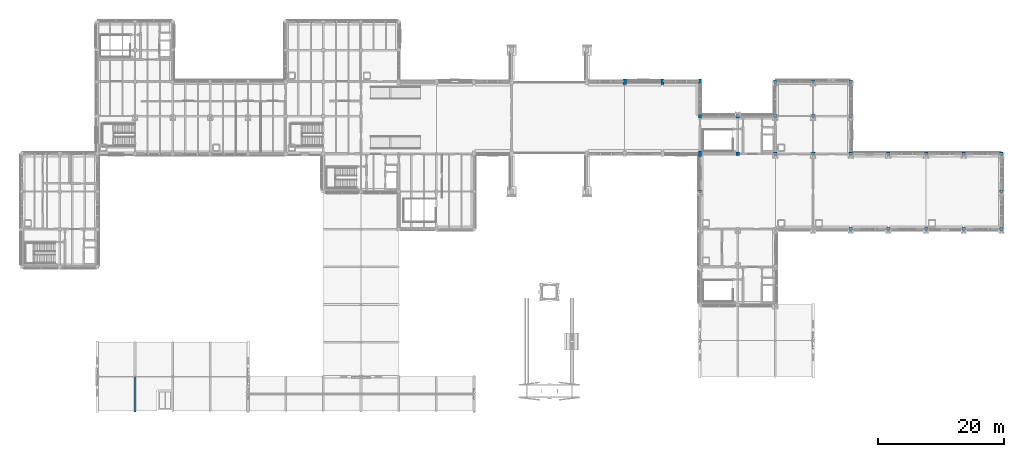
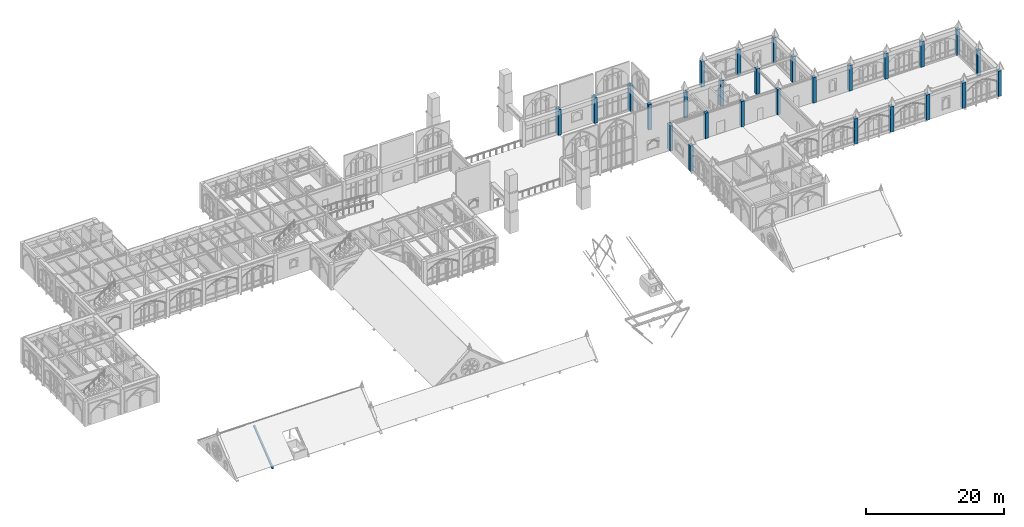
# One storey, part 5 of 108: 27 columns, 1 member.
"""IFC4 building model written with IfcOpenShell, lengths in metres."""

from ifc_helpers import new_model, si_unit, direction, frame, origin, origin_2d, place, context, subcontext, project, spatial, rectangle, i_section, extrude, material, material_profile, profile_set, type_object, element, save


model = new_model("IFC4")

# Units and contexts
model_context = context("Model", 3, precision=1e-05, world=origin(), true_north=direction((0.0, 1.0)))
body_context = subcontext(model_context, "Body", "Model", "MODEL_VIEW")
ifc_project = project(units=[si_unit("LENGTHUNIT", "METRE"), si_unit("AREAUNIT", "SQUARE_METRE"), si_unit("VOLUMEUNIT", "CUBIC_METRE"), si_unit("PLANEANGLEUNIT", "RADIAN"), si_unit("MASSUNIT", "GRAM", prefix="KILO")], contexts=[model_context])

# Site, building, storey
site_placement = place(None, origin())
site = spatial("IfcSite", under=ifc_project, at=site_placement, CompositionType="ELEMENT")
building_placement = place(site_placement, origin())
building = spatial("IfcBuilding", under=site, at=building_placement, Name="Cumevento Cable Car Station", CompositionType="ELEMENT")
storey_placement = place(building_placement, frame((0.0, 0.0, 13.5)))
storey = spatial("IfcBuildingStorey", under=building, at=storey_placement, Name="L04", CompositionType="ELEMENT", Elevation=13.5)

# Columns
ifc_material_1 = material(Name="Concrete C40/50", Category="concrete")
ifc_material_profile_1 = material_profile(ifc_material_1, rectangle(XDim=0.5, YDim=0.85009765625, at=origin_2d()), Name="RC500x850")
ifc_profile_set_1 = profile_set([ifc_material_profile_1], Name="Concrete C40/50")
column_type_1 = type_object("IfcColumnType", Name="Buttress Pilaster P-BT850 RC500x850", PredefinedType="PILASTER", material=ifc_profile_set_1)
for number, where, z_axis, x_axis, name in (
    (1, (106.0, 56.5, 0.0), (0.0, 0.0, 1.0), (1.0, 0.0, 0.0), "Column P-BT850 L04 (106.0,56.5)"),
    (2, (112.0, 56.5, 0.0), (0.0, 0.0, 1.0), (1.0, 0.0, 0.0), "Column P-BT850 L04 (112.0,56.5)"),
    (3, (118.0, 45.0, 0.0), (0.0, 0.0, 1.0), (1.0, 0.0, 0.0), "Column P-BT850 L04 (118.0,45.0)"),
    (4, (118.0, 56.5, 0.0), (0.0, 0.0, 1.0), (1.0, 0.0, 0.0), "Column P-BT850 L04 (118.0,56.5)"),
):
    element("IfcColumn", number, at=place(storey_placement, frame(where, z_axis=z_axis, x_axis=x_axis)), inside=storey, type_object=column_type_1, Name=name, PredefinedType="PILASTER", context=body_context, shape_type="SweptSolid", body=[
        extrude(rectangle(XDim=0.5, YDim=0.85009765625, at=origin_2d()), origin(), (0.0, 0.0, 1.0), 4.5),
    ])
ifc_material_2 = material(Name="Concrete C40/50", Category="concrete")
ifc_material_profile_2 = material_profile(ifc_material_2, rectangle(XDim=0.550048828125, YDim=0.550048828125, at=origin_2d()), Name="RC550x550")
ifc_profile_set_2 = profile_set([ifc_material_profile_2], Name="Concrete C40/50")
column_type_2 = type_object("IfcColumnType", Name="Column C-RC550 RC550x550", PredefinedType="COLUMN", material=ifc_profile_set_2)
for number, where, z_axis, x_axis, name in (
    (5, (118.0, 39.0, 0.0), (0.0, 0.0, 1.0), (1.0, 0.0, 0.0), "Column C-RC550 L04 (118.0,39.0)"),
    (6, (118.0, 51.0, 0.0), (0.0, 0.0, 1.0), (1.0, 0.0, 0.0), "Column C-RC550 L04 (118.0,51.0)"),
    (7, (124.0, 45.0, 0.0), (0.0, 0.0, 1.0), (1.0, 0.0, 0.0), "Column C-RC550 L04 (124.0,45.0)"),
    (8, (124.0, 51.0, 0.0), (0.0, 0.0, 1.0), (1.0, 0.0, 0.0), "Column C-RC550 L04 (124.0,51.0)"),
    (9, (130.0, 45.0, 0.0), (0.0, 0.0, 1.0), (1.0, 0.0, 0.0), "Column C-RC550 L04 (130.0,45.0)"),
    (10, (130.0, 51.0, 0.0), (0.0, 0.0, 1.0), (1.0, 0.0, 0.0), "Column C-RC550 L04 (130.0,51.0)"),
    (11, (130.0, 56.5, 0.0), (0.0, 0.0, 1.0), (1.0, 0.0, 0.0), "Column C-RC550 L04 (130.0,56.5)"),
    (12, (136.0, 45.0, 0.0), (0.0, 0.0, 1.0), (1.0, 0.0, 0.0), "Column C-RC550 L04 (136.0,45.0)"),
    (13, (136.0, 51.0, 0.0), (0.0, 0.0, 1.0), (1.0, 0.0, 0.0), "Column C-RC550 L04 (136.0,51.0)"),
    (14, (136.0, 56.5, 0.0), (0.0, 0.0, 1.0), (1.0, 0.0, 0.0), "Column C-RC550 L04 (136.0,56.5)"),
    (15, (142.0, 33.0, 0.0), (0.0, 0.0, 1.0), (1.0, 0.0, 0.0), "Column C-RC550 L04 (142.0,33.0)"),
    (16, (142.0, 45.0, 0.0), (0.0, 0.0, 1.0), (1.0, 0.0, 0.0), "Column C-RC550 L04 (142.0,45.0)"),
    (17, (142.0, 51.0, 0.0), (0.0, 0.0, 1.0), (1.0, 0.0, 0.0), "Column C-RC550 L04 (142.0,51.0)"),
    (18, (142.0, 56.5, 0.0), (0.0, 0.0, 1.0), (1.0, 0.0, 0.0), "Column C-RC550 L04 (142.0,56.5)"),
    (19, (148.0, 33.0, 0.0), (0.0, 0.0, 1.0), (1.0, 0.0, 0.0), "Column C-RC550 L04 (148.0,33.0)"),
    (20, (148.0, 45.0, 0.0), (0.0, 0.0, 1.0), (1.0, 0.0, 0.0), "Column C-RC550 L04 (148.0,45.0)"),
    (21, (154.0, 33.0, 0.0), (0.0, 0.0, 1.0), (1.0, 0.0, 0.0), "Column C-RC550 L04 (154.0,33.0)"),
    (22, (154.0, 45.0, 0.0), (0.0, 0.0, 1.0), (1.0, 0.0, 0.0), "Column C-RC550 L04 (154.0,45.0)"),
    (23, (160.0, 33.0, 0.0), (0.0, 0.0, 1.0), (1.0, 0.0, 0.0), "Column C-RC550 L04 (160.0,33.0)"),
    (24, (160.0, 45.0, 0.0), (0.0, 0.0, 1.0), (1.0, 0.0, 0.0), "Column C-RC550 L04 (160.0,45.0)"),
    (25, (166.0, 33.0, 0.0), (0.0, 0.0, 1.0), (1.0, 0.0, 0.0), "Column C-RC550 L04 (166.0,33.0)"),
    (26, (166.0, 39.0, 0.0), (0.0, 0.0, 1.0), (1.0, 0.0, 0.0), "Column C-RC550 L04 (166.0,39.0)"),
    (27, (166.0, 45.0, 0.0), (0.0, 0.0, 1.0), (1.0, 0.0, 0.0), "Column C-RC550 L04 (166.0,45.0)"),
):
    element("IfcColumn", number, at=place(storey_placement, frame(where, z_axis=z_axis, x_axis=x_axis)), inside=storey, type_object=column_type_2, Name=name, PredefinedType="COLUMN", context=body_context, shape_type="SweptSolid", body=[
        extrude(rectangle(XDim=0.550048828125, YDim=0.550048828125, at=origin_2d()), origin(), (0.0, 0.0, 1.0), 4.5),
    ])

# Member
ifc_material_3 = material(Name="Steel ASTM A572 Grade 50", Category="steel")
ifc_material_profile_3 = material_profile(ifc_material_3, i_section(OverallWidth=0.25390625, OverallDepth=0.305908203125, WebThickness=0.0087890625, FlangeThickness=0.0146484375, at=origin_2d()), Name="W310x79.0")
ifc_profile_set_3 = profile_set([ifc_material_profile_3], Name="Steel ASTM A572 Grade 50")
member_type = type_object("IfcMemberType", Name="Framing Chord TC-03 W310x79.0", PredefinedType="CHORD", material=ifc_profile_set_3)
member_placement = place(storey_placement, frame((28.0, 4.0, 0.0), z_axis=(0.0, 0.784328133219, 0.620346177099), x_axis=(-1.0, 0.0, 0.0)))
element("IfcMember", 28, at=member_placement, inside=storey, type_object=member_type, Name="Wing B_V1a Rafter #674", PredefinedType="CHORD", context=body_context, shape_type="SweptSolid", body=[
    extrude(i_section(OverallWidth=0.25390625, OverallDepth=0.305908203125, WebThickness=0.0087890625, FlangeThickness=0.0146484375, at=origin_2d()), origin(), (0.0, 0.0, 1.0), 7.012451171875),
])

save(model, "model.ifc")
